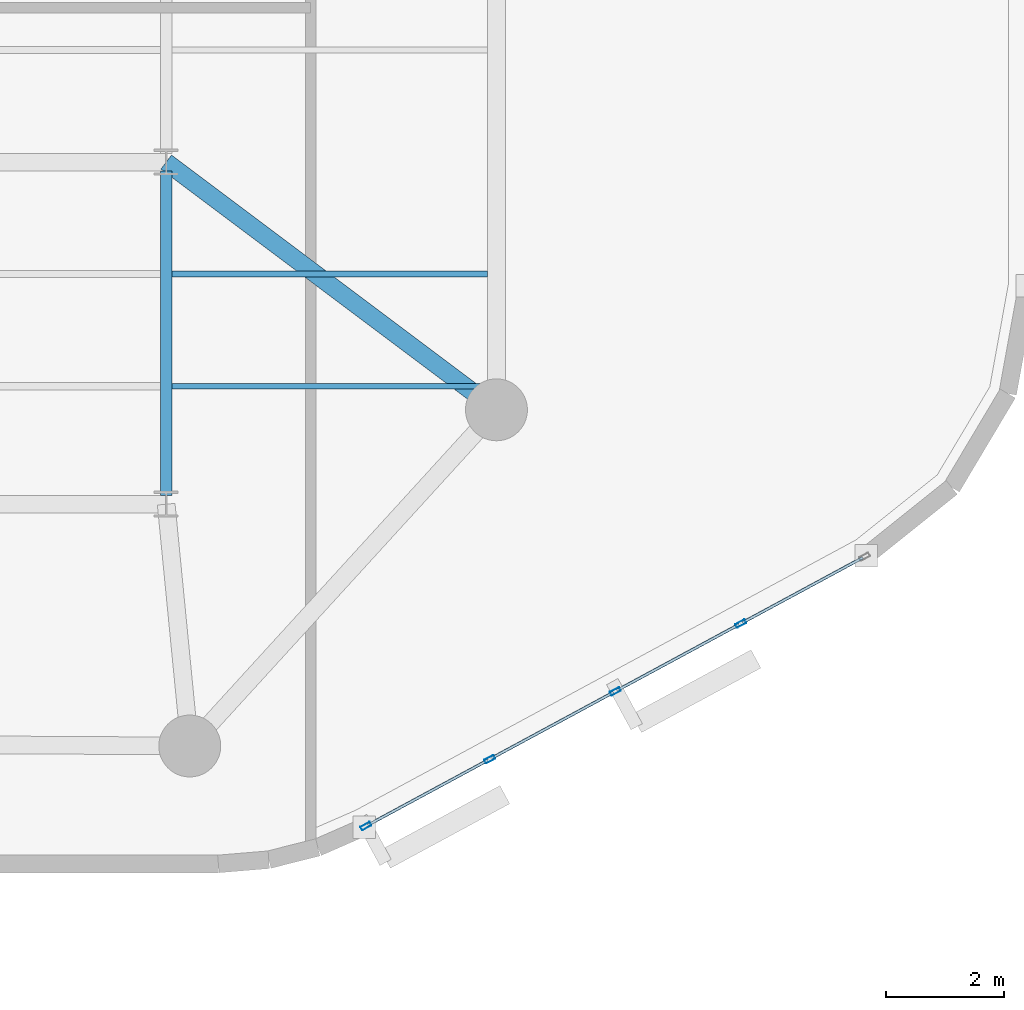
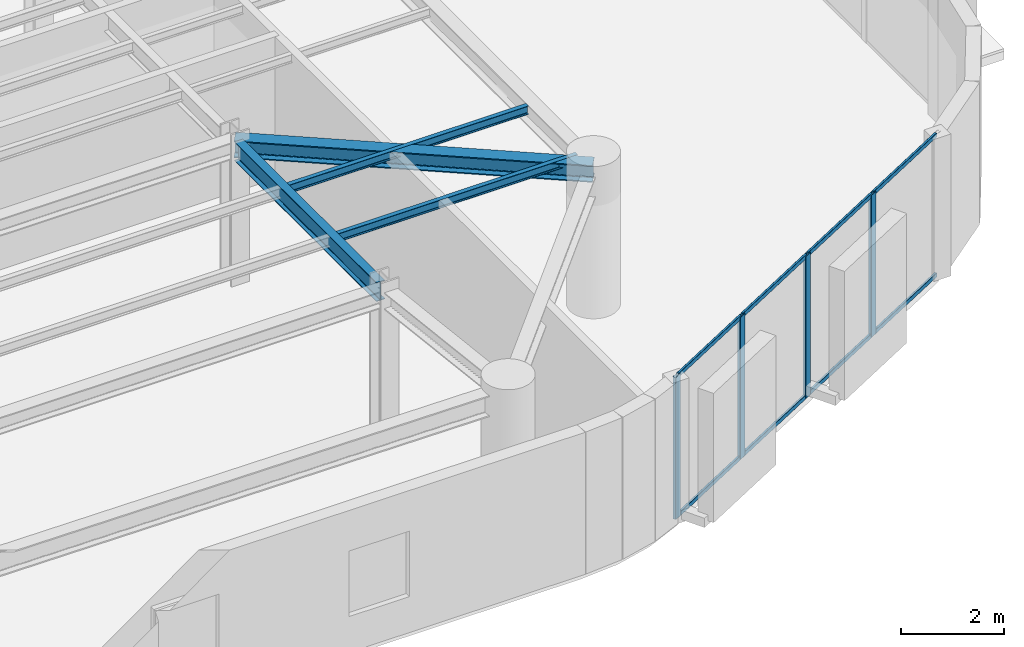
# One storey, part 2 of 13: 12 members, 4 beams, 1 element without a shape of its own.
"""IFC4 building model written with IfcOpenShell, lengths in metres."""

from ifc_helpers import new_model, si_unit, direction, frame, origin, origin_2d, place, context, subcontext, project, spatial, hollow_rectangle, i_section, extrude, material, layer, layer_set, material_profile, profile_set, type_object, element, aggregate, save


model = new_model("IFC4")

# Units and contexts
model_context = context("Model", 3, precision=1e-05, world=origin(), true_north=direction((0.0, 1.0)))
body_context = subcontext(model_context, "Body", "Model", "MODEL_VIEW")
ifc_project = project(units=[si_unit("LENGTHUNIT", "METRE"), si_unit("AREAUNIT", "SQUARE_METRE"), si_unit("VOLUMEUNIT", "CUBIC_METRE"), si_unit("PLANEANGLEUNIT", "RADIAN"), si_unit("MASSUNIT", "GRAM", prefix="KILO")], contexts=[model_context])

# Site, building, storey
site_placement = place(None, origin())
site = spatial("IfcSite", under=ifc_project, at=site_placement, CompositionType="ELEMENT")
building_placement = place(site_placement, origin())
building = spatial("IfcBuilding", under=site, at=building_placement, Name="An Khanh Terracotta Commons", CompositionType="ELEMENT")
storey_placement = place(building_placement, frame((0.0, 0.0, 244.5)))
storey = spatial("IfcBuildingStorey", under=building, at=storey_placement, Name="L64", CompositionType="ELEMENT", Elevation=244.5)

# Beams
ifc_material_1 = material(Name="Steel S355J2", Category="steel")
ifc_material_profile_1 = material_profile(ifc_material_1, i_section(OverallWidth=0.300048828125, OverallDepth=0.39990234375, WebThickness=0.013427734375, FlangeThickness=0.02392578125, FilletRadius=0.027099609375, at=origin_2d()), Name="HEB400")
ifc_profile_set_1 = profile_set([ifc_material_profile_1], Name="Steel S355J2")
beam_type_1 = type_object("IfcBeamType", Name="BM-HEB400", PredefinedType="BEAM", material=ifc_profile_set_1)
beam_1_placement = place(storey_placement, frame((59.60009765625, 16.0, 3.159912109375), z_axis=(-0.800008370399, 0.599988839305, 0.0), x_axis=(-0.599988839305, -0.800008370399, 0.0)))
element("IfcBeam", 1, at=beam_1_placement, inside=storey, type_object=beam_type_1, Name="L64 Mega-Column Tie Girder 3", PredefinedType="BEAM", context=body_context, shape_type="SweptSolid", body=[
    extrude(i_section(OverallWidth=0.300048828125, OverallDepth=0.39990234375, WebThickness=0.013427734375, FlangeThickness=0.02392578125, FilletRadius=0.027099609375, at=origin_2d()), origin(), (0.0, 0.0, 1.0), 7.0),
])
ifc_material_profile_2 = material_profile(ifc_material_1, i_section(OverallWidth=0.10009765625, OverallDepth=0.199951171875, WebThickness=0.005615234375, FlangeThickness=0.008544921875, FilletRadius=0.011962890625, at=origin_2d()), Name="IPE200")
ifc_profile_set_2 = profile_set([ifc_material_profile_2], Name="Steel S355J2")
beam_type_2 = type_object("IfcBeamType", Name="BM-IPE200", PredefinedType="JOIST", material=ifc_profile_set_2)
for number, where, z_axis, x_axis, name in (
    (2, (54.094970703125, 16.39990234375, 3.260009765625), (1.0, 0.0, 0.0), (0.0, 1.0, 0.0), "L64 Riverfront Composite Joist 1"),
    (3, (54.094970703125, 18.300048828125, 3.260009765625), (1.0, 0.0, 0.0), (0.0, 1.0, 0.0), "L64 Riverfront Composite Joist 2"),
):
    element("IfcBeam", number, at=place(storey_placement, frame(where, z_axis=z_axis, x_axis=x_axis)), inside=storey, type_object=beam_type_2, Name=name, PredefinedType="JOIST", context=body_context, shape_type="SweptSolid", body=[
        extrude(i_section(OverallWidth=0.10009765625, OverallDepth=0.199951171875, WebThickness=0.005615234375, FlangeThickness=0.008544921875, FilletRadius=0.011962890625, at=origin_2d()), origin(), (0.0, 0.0, 1.0), 5.35498046875),
    ])
ifc_material_profile_3 = material_profile(ifc_material_1, i_section(OverallWidth=0.18994140625, OverallDepth=0.449951171875, WebThickness=0.009521484375, FlangeThickness=0.0146484375, FilletRadius=0.02099609375, at=origin_2d()), Name="IPE450")
ifc_profile_set_3 = profile_set([ifc_material_profile_3], Name="Steel S355J2")
beam_type_3 = type_object("IfcBeamType", Name="BM-IPE450", PredefinedType="JOIST", material=ifc_profile_set_3)
beam_2_placement = place(storey_placement, frame((54.0, 14.550048828125, 3.135009765625), z_axis=(0.0, 1.0, 0.0), x_axis=(-1.0, 0.0, 0.0)))
element("IfcBeam", 4, at=beam_2_placement, inside=storey, type_object=beam_type_3, Name="L64 East Spine Girder 1", PredefinedType="JOIST", context=body_context, shape_type="SweptSolid", body=[
    extrude(i_section(OverallWidth=0.18994140625, OverallDepth=0.449951171875, WebThickness=0.009521484375, FlangeThickness=0.0146484375, FilletRadius=0.02099609375, at=origin_2d()), origin(), (0.0, 0.0, 1.0), 5.5),
])

# Curtain wall, members
ifc_material_2 = material(Name="Anodised Aluminium 6063-T6", Category="aluminium")
ifc_layer = layer(ifc_material_2, 0.2099609375, Name="Anodised Aluminium 6063-T6")
ifc_layer_set = layer_set([ifc_layer], Name="Anodised Aluminium 6063-T6")
curtain_wall_type = type_object("IfcCurtainWallType", Name="CW-SYS-03", PredefinedType="USERDEFINED", material=ifc_layer_set)
curtain_wall_placement = place(storey_placement, origin())
curtain_wall = element("IfcCurtainWall", 5, at=curtain_wall_placement, inside=storey, type_object=curtain_wall_type, Name="L64 CW-03 Unitised Curtain Wall CW-L64-08", ObjectType="UNITISED CURTAIN WALL", PredefinedType="USERDEFINED")
ifc_material_profile_4 = material_profile(ifc_material_2, hollow_rectangle(XDim=0.070068359375, YDim=0.179931640625, WallThickness=0.00390625, InnerFilletRadius=0.00390625, OuterFilletRadius=0.008056640625, at=origin_2d()), Name="RHS180x70x4")
ifc_profile_set_4 = profile_set([ifc_material_profile_4], Name="Anodised Aluminium 6063-T6")
member_type_1 = type_object("IfcMemberType", Name="CWM-RHS180x70x4", PredefinedType="MULLION", material=ifc_profile_set_4)
member_1_placement = place(storey_placement, frame((57.3876953125, 8.941650390625, 0.0), z_axis=(0.0, 0.0, 1.0), x_axis=(-0.47538088298, 0.879780095306, 0.0)))
member_1 = element("IfcMember", 6, at=member_1_placement, type_object=member_type_1, Name="CW-03 mullion 1", PredefinedType="MULLION", context=body_context, shape_type="SweptSolid", body=[
    extrude(hollow_rectangle(XDim=0.070068359375, YDim=0.179931640625, WallThickness=0.00390625, InnerFilletRadius=0.00390625, OuterFilletRadius=0.008056640625, at=origin_2d()), origin(), (0.0, 0.0, 1.0), 3.360107421875),
])
member_2_placement = place(storey_placement, frame((59.48583984375, 10.0751953125, 0.0), z_axis=(0.0, 0.0, 1.0), x_axis=(-0.47538088298, 0.879780095306, 0.0)))
member_2 = element("IfcMember", 7, at=member_2_placement, type_object=member_type_1, Name="CW-03 mullion 2", PredefinedType="MULLION", context=body_context, shape_type="SweptSolid", body=[
    extrude(hollow_rectangle(XDim=0.070068359375, YDim=0.179931640625, WallThickness=0.00390625, InnerFilletRadius=0.00390625, OuterFilletRadius=0.008056640625, at=origin_2d()), origin(), (0.0, 0.0, 1.0), 3.360107421875),
])
member_3_placement = place(storey_placement, frame((61.614501953125, 11.2255859375, 0.0), z_axis=(0.0, 0.0, 1.0), x_axis=(-0.47538088298, 0.879780095306, 0.0)))
member_3 = element("IfcMember", 8, at=member_3_placement, type_object=member_type_1, Name="CW-03 mullion 3", PredefinedType="MULLION", context=body_context, shape_type="SweptSolid", body=[
    extrude(hollow_rectangle(XDim=0.070068359375, YDim=0.179931640625, WallThickness=0.00390625, InnerFilletRadius=0.00390625, OuterFilletRadius=0.008056640625, at=origin_2d()), origin(), (0.0, 0.0, 1.0), 3.360107421875),
])
member_4_placement = place(storey_placement, frame((63.7431640625, 12.375732421875, 0.0), z_axis=(0.0, 0.0, 1.0), x_axis=(-0.47538088298, 0.879780095306, 0.0)))
member_4 = element("IfcMember", 9, at=member_4_placement, type_object=member_type_1, Name="CW-03 mullion 4", PredefinedType="MULLION", context=body_context, shape_type="SweptSolid", body=[
    extrude(hollow_rectangle(XDim=0.070068359375, YDim=0.179931640625, WallThickness=0.00390625, InnerFilletRadius=0.00390625, OuterFilletRadius=0.008056640625, at=origin_2d()), origin(), (0.0, 0.0, 1.0), 3.360107421875),
])
ifc_material_profile_5 = material_profile(ifc_material_2, hollow_rectangle(XDim=0.050048828125, YDim=0.10009765625, WallThickness=0.003173828125, InnerFilletRadius=0.003173828125, OuterFilletRadius=0.00634765625, at=origin_2d()), Name="RHS100x50x3.2")
ifc_profile_set_5 = profile_set([ifc_material_profile_5], Name="Anodised Aluminium 6063-T6")
member_type_2 = type_object("IfcMemberType", Name="CWT-RHS100x50x3.2", PredefinedType="USERDEFINED", material=ifc_profile_set_5)
member_5_placement = place(storey_placement, frame((57.418701171875, 8.958251953125, 0.02490234375), z_axis=(0.879779245677, 0.475382455373, 0.0), x_axis=(-0.475382455373, 0.879779245677, 0.0)))
member_5 = element("IfcMember", 10, at=member_5_placement, type_object=member_type_2, Name="CW-03 transom 1.1", ObjectType="TRANSOM", PredefinedType="USERDEFINED", context=body_context, shape_type="SweptSolid", body=[
    extrude(hollow_rectangle(XDim=0.050048828125, YDim=0.10009765625, WallThickness=0.003173828125, InnerFilletRadius=0.003173828125, OuterFilletRadius=0.00634765625, at=origin_2d()), origin(), (0.0, 0.0, 1.0), 2.314697265625),
])
member_6_placement = place(storey_placement, frame((57.418701171875, 8.958251953125, 3.3349609375), z_axis=(0.879779245677, 0.475382455373, 0.0), x_axis=(-0.475382455373, 0.879779245677, 0.0)))
member_6 = element("IfcMember", 11, at=member_6_placement, type_object=member_type_2, Name="CW-03 transom 1.2", ObjectType="TRANSOM", PredefinedType="USERDEFINED", context=body_context, shape_type="SweptSolid", body=[
    extrude(hollow_rectangle(XDim=0.050048828125, YDim=0.10009765625, WallThickness=0.003173828125, InnerFilletRadius=0.003173828125, OuterFilletRadius=0.00634765625, at=origin_2d()), origin(), (0.0, 0.0, 1.0), 2.314697265625),
])
member_7_placement = place(storey_placement, frame((59.5166015625, 10.091796875, 0.02490234375), z_axis=(0.879782861449, 0.475375763686, 0.0), x_axis=(-0.475375763686, 0.879782861449, 0.0)))
member_7 = element("IfcMember", 12, at=member_7_placement, type_object=member_type_2, Name="CW-03 transom 2.1", ObjectType="TRANSOM", PredefinedType="USERDEFINED", context=body_context, shape_type="SweptSolid", body=[
    extrude(hollow_rectangle(XDim=0.050048828125, YDim=0.10009765625, WallThickness=0.003173828125, InnerFilletRadius=0.003173828125, OuterFilletRadius=0.00634765625, at=origin_2d()), origin(), (0.0, 0.0, 1.0), 2.349609375),
])
member_8_placement = place(storey_placement, frame((59.5166015625, 10.091796875, 3.3349609375), z_axis=(0.879782861449, 0.475375763686, 0.0), x_axis=(-0.475375763686, 0.879782861449, 0.0)))
member_8 = element("IfcMember", 13, at=member_8_placement, type_object=member_type_2, Name="CW-03 transom 2.2", ObjectType="TRANSOM", PredefinedType="USERDEFINED", context=body_context, shape_type="SweptSolid", body=[
    extrude(hollow_rectangle(XDim=0.050048828125, YDim=0.10009765625, WallThickness=0.003173828125, InnerFilletRadius=0.003173828125, OuterFilletRadius=0.00634765625, at=origin_2d()), origin(), (0.0, 0.0, 1.0), 2.349609375),
])
member_9_placement = place(storey_placement, frame((61.645263671875, 11.2421875, 0.02490234375), z_axis=(0.879782861449, 0.475375763686, 0.0), x_axis=(-0.475375763686, 0.879782861449, 0.0)))
member_9 = element("IfcMember", 14, at=member_9_placement, type_object=member_type_2, Name="CW-03 transom 3.1", ObjectType="TRANSOM", PredefinedType="USERDEFINED", context=body_context, shape_type="SweptSolid", body=[
    extrude(hollow_rectangle(XDim=0.050048828125, YDim=0.10009765625, WallThickness=0.003173828125, InnerFilletRadius=0.003173828125, OuterFilletRadius=0.00634765625, at=origin_2d()), origin(), (0.0, 0.0, 1.0), 2.349609375),
])
member_10_placement = place(storey_placement, frame((61.645263671875, 11.2421875, 3.3349609375), z_axis=(0.879782861449, 0.475375763686, 0.0), x_axis=(-0.475375763686, 0.879782861449, 0.0)))
member_10 = element("IfcMember", 15, at=member_10_placement, type_object=member_type_2, Name="CW-03 transom 3.2", ObjectType="TRANSOM", PredefinedType="USERDEFINED", context=body_context, shape_type="SweptSolid", body=[
    extrude(hollow_rectangle(XDim=0.050048828125, YDim=0.10009765625, WallThickness=0.003173828125, InnerFilletRadius=0.003173828125, OuterFilletRadius=0.00634765625, at=origin_2d()), origin(), (0.0, 0.0, 1.0), 2.349609375),
])
member_11_placement = place(storey_placement, frame((63.77392578125, 12.392333984375, 0.02490234375), z_axis=(0.879779245677, 0.475382455373, 0.0), x_axis=(-0.475382455373, 0.879779245677, 0.0)))
member_11 = element("IfcMember", 16, at=member_11_placement, type_object=member_type_2, Name="CW-03 transom 4.1", ObjectType="TRANSOM", PredefinedType="USERDEFINED", context=body_context, shape_type="SweptSolid", body=[
    extrude(hollow_rectangle(XDim=0.050048828125, YDim=0.10009765625, WallThickness=0.003173828125, InnerFilletRadius=0.003173828125, OuterFilletRadius=0.00634765625, at=origin_2d()), origin(), (0.0, 0.0, 1.0), 2.314697265625),
])
member_12_placement = place(storey_placement, frame((63.77392578125, 12.392333984375, 3.3349609375), z_axis=(0.879779245677, 0.475382455373, 0.0), x_axis=(-0.475382455373, 0.879779245677, 0.0)))
member_12 = element("IfcMember", 17, at=member_12_placement, type_object=member_type_2, Name="CW-03 transom 4.2", ObjectType="TRANSOM", PredefinedType="USERDEFINED", context=body_context, shape_type="SweptSolid", body=[
    extrude(hollow_rectangle(XDim=0.050048828125, YDim=0.10009765625, WallThickness=0.003173828125, InnerFilletRadius=0.003173828125, OuterFilletRadius=0.00634765625, at=origin_2d()), origin(), (0.0, 0.0, 1.0), 2.314697265625),
])
aggregate(curtain_wall, [member_1, member_2, member_3, member_4, member_5, member_6, member_7, member_8, member_9, member_10, member_11, member_12])

save(model, "model.ifc")
